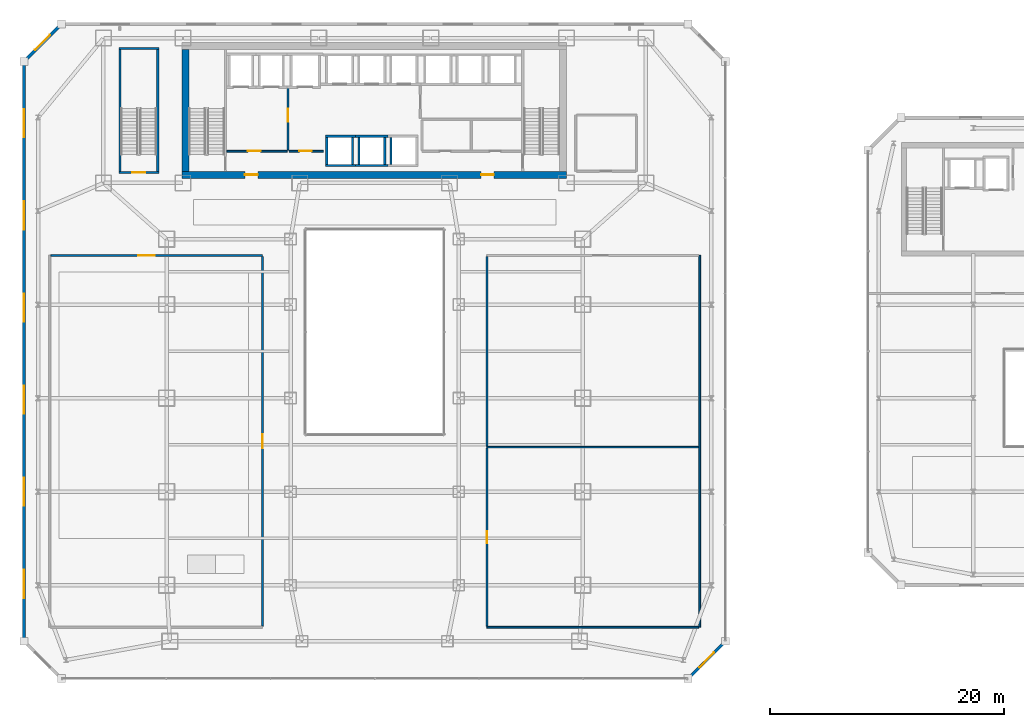
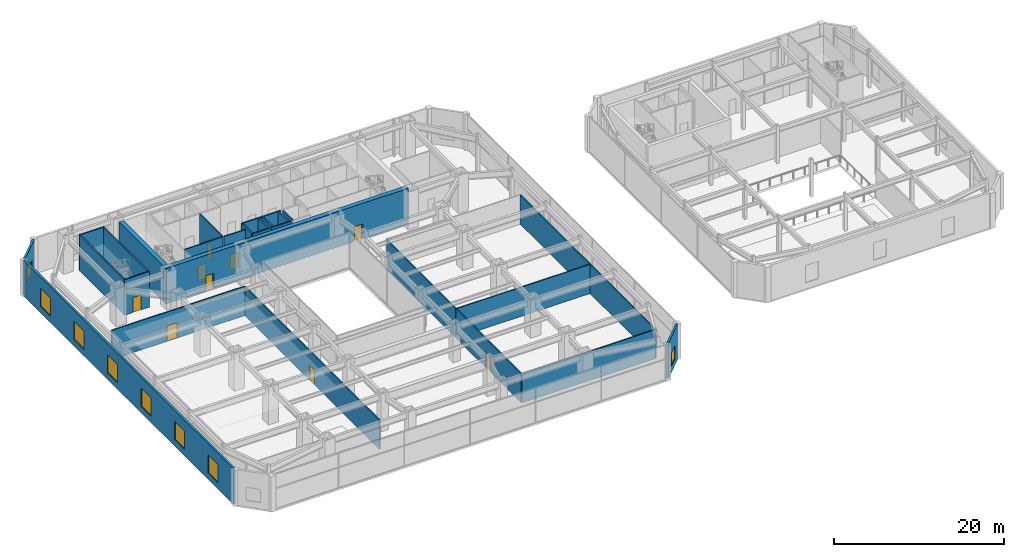
# One storey, part 39 of 52: 28 walls, 9 doors, 8 windows, 17 openings.
"""IFC4 building model written with IfcOpenShell, lengths in metres."""

from ifc_helpers import new_model, si_unit, direction, frame, frame_2d, origin, place, context, subcontext, project, spatial, rectangle, extrude, material, layer, layer_set, type_object, element, fill, save


model = new_model("IFC4")

# Units and contexts
model_context = context("Model", 3, precision=1e-05, world=origin(), true_north=direction((0.0, 1.0)))
body_context = subcontext(model_context, "Body", "Model", "MODEL_VIEW")
ifc_project = project(units=[si_unit("LENGTHUNIT", "METRE"), si_unit("AREAUNIT", "SQUARE_METRE"), si_unit("VOLUMEUNIT", "CUBIC_METRE"), si_unit("PLANEANGLEUNIT", "RADIAN"), si_unit("MASSUNIT", "GRAM", prefix="KILO")], contexts=[model_context])

# Site, building, storey
site_placement = place(None, origin())
site = spatial("IfcSite", under=ifc_project, at=site_placement, CompositionType="ELEMENT")
building_placement = place(site_placement, origin())
building = spatial("IfcBuilding", under=site, at=building_placement, Name="Saevonmaru Cultural Tower", CompositionType="ELEMENT")
storey_placement = place(building_placement, frame((0.0, 0.0, 11.39990234375)))
storey = spatial("IfcBuildingStorey", under=building, at=storey_placement, Name="L02", CompositionType="ELEMENT", Elevation=11.39990234375)

# Wall, openings, doors
ifc_material_1 = material(Name="Concrete C60/75", Category="concrete")
ifc_layer_1 = layer(ifc_material_1, 0.60009765625, Name="Concrete C60/75")
ifc_layer_set_1 = layer_set([ifc_layer_1], Name="Concrete C60/75")
wall_type_1 = type_object("IfcWallType", Name="WL-CORE-600", PredefinedType="SHEAR", material=ifc_layer_set_1)
wall_1_placement = place(storey_placement, frame((13.5, 43.10009765625, 0.0), z_axis=(0.0, 0.0, 1.0), x_axis=(1.0, 0.0, 0.0)))
wall_1 = element("IfcWall", 1, at=wall_1_placement, inside=storey, type_object=wall_type_1, Name="L02 Tower RC core shear wall S", PredefinedType="SHEAR", context=body_context, shape_type="SweptSolid", body=[
    extrude(rectangle(XDim=32.89990234375, YDim=0.60009765625, at=frame_2d((16.449951171875, 0.0))), origin(), (0.0, 0.0, 1.0), 5.10009765625),
])
opening_1_placement = place(wall_1_placement, frame((5.39990234375, 0.0, 0.0)))
opening_1 = element("IfcOpeningElement", 2, at=opening_1_placement, cuts=wall_1, Name="Opening FD-2", PredefinedType="OPENING", context=body_context, shape_type="SweptSolid", body=[
    extrude(rectangle(XDim=1.10009765625, YDim=2.14990234375, at=frame_2d((0.550048828125, 1.074951171875))), frame((0.0, 0.31005859375, 0.0), z_axis=(0.0, -1.0, 0.0), x_axis=(1.0, 0.0, 0.0)), (0.0, 0.0, 1.0), 0.6201171875),
])
opening_2_placement = place(wall_1_placement, frame((25.60009765625, 0.0, 0.0)))
opening_2 = element("IfcOpeningElement", 3, at=opening_2_placement, cuts=wall_1, Name="Opening FD-2", PredefinedType="OPENING", context=body_context, shape_type="SweptSolid", body=[
    extrude(rectangle(XDim=1.10009765625, YDim=2.14990234375, at=frame_2d((0.550048828125, 1.074951171875))), frame((0.0, 0.31005859375, 0.0), z_axis=(0.0, -1.0, 0.0), x_axis=(1.0, 0.0, 0.0)), (0.0, 0.0, 1.0), 0.6201171875),
])
ifc_material_2 = material(Name="Satin Bronze Anodised Aluminium", Category="aluminium")
door_type_1 = type_object("IfcDoorType", Name="DR-FD60-1100", OperationType="SINGLE_SWING_LEFT", PredefinedType="DOOR", material=ifc_material_2)
door_1_placement = place(opening_1_placement, origin())
door_1 = element("IfcDoor", 4, at=door_1_placement, inside=storey, type_object=door_type_1, Name="L02 Core West Lobby Fire Door", OperationType="SINGLE_SWING_LEFT", OverallHeight=2.14990234375, OverallWidth=1.10009765625, PredefinedType="DOOR", context=body_context, shape_type="SweptSolid", body=[
    extrude(rectangle(XDim=1.10009765625, YDim=2.14990234375, at=frame_2d((0.550048828125, 1.074951171875))), frame((0.0, 0.02490234375, 0.0), z_axis=(0.0, -1.0, 0.0), x_axis=(1.0, 0.0, 0.0)), (0.0, 0.0, 1.0), 0.050048828125),
])
fill(opening_1, door_1)
door_2_placement = place(opening_2_placement, origin())
door_2 = element("IfcDoor", 5, at=door_2_placement, inside=storey, type_object=door_type_1, Name="L02 Core East Lobby Fire Door", OperationType="SINGLE_SWING_LEFT", OverallHeight=2.14990234375, OverallWidth=1.10009765625, PredefinedType="DOOR", context=body_context, shape_type="SweptSolid", body=[
    extrude(rectangle(XDim=1.10009765625, YDim=2.14990234375, at=frame_2d((0.550048828125, 1.074951171875))), frame((0.0, 0.02490234375, 0.0), z_axis=(0.0, -1.0, 0.0), x_axis=(1.0, 0.0, 0.0)), (0.0, 0.0, 1.0), 0.050048828125),
])
fill(opening_2, door_2)

# Wall
wall_2_placement = place(storey_placement, frame((13.800048828125, 43.39990234375, 0.0), z_axis=(0.0, 0.0, 1.0), x_axis=(0.0, 1.0, 0.0)))
element("IfcWall", 6, at=wall_2_placement, inside=storey, type_object=wall_type_1, Name="L02 Tower RC core shear wall W", PredefinedType="SHEAR", context=body_context, shape_type="SweptSolid", body=[
    extrude(rectangle(XDim=10.400146484375, YDim=0.60009765625, at=frame_2d((5.2001953125, 0.0))), origin(), (0.0, 0.0, 1.0), 5.10009765625),
])

# Wall, opening, door
ifc_material_3 = material(Name="Gypsum Fireboard Partition", Category="gypsum")
ifc_layer_2 = layer(ifc_material_3, 0.14990234375, Name="Gypsum Fireboard Partition")
ifc_layer_set_2 = layer_set([ifc_layer_2], Name="Gypsum Fireboard Partition")
wall_type_2 = type_object("IfcWallType", Name="WL-CORE-PART-150", PredefinedType="PARTITIONING", material=ifc_layer_set_2)
wall_3_placement = place(storey_placement, frame((17.360107421875, 45.1201171875, 0.0), z_axis=(0.0, 0.0, 1.0), x_axis=(1.0, 0.0, 0.0)))
wall_3 = element("IfcWall", 7, at=wall_3_placement, inside=storey, type_object=wall_type_2, Name="L02 Firefighting Lift Lobby South Wall", PredefinedType="PARTITIONING", context=body_context, shape_type="SweptSolid", body=[
    extrude(rectangle(XDim=5.139892578125, YDim=0.14990234375, at=frame_2d((2.56982421875, 0.0))), origin(), (0.0, 0.0, 1.0), 5.10009765625),
])
opening_3_placement = place(wall_3_placement, frame((1.800048828125, 0.0, 0.0)))
opening_3 = element("IfcOpeningElement", 8, at=opening_3_placement, cuts=wall_3, Name="Opening FD-2", PredefinedType="OPENING", context=body_context, shape_type="SweptSolid", body=[
    extrude(rectangle(XDim=1.10009765625, YDim=2.14990234375, at=frame_2d((0.550048828125, 1.074951171875))), frame((0.0, 0.0849609375, 0.0), z_axis=(0.0, -1.0, 0.0), x_axis=(1.0, 0.0, 0.0)), (0.0, 0.0, 1.0), 0.169921875),
])
door_3_placement = place(opening_3_placement, origin())
door_3 = element("IfcDoor", 9, at=door_3_placement, inside=storey, type_object=door_type_1, Name="L02 Firefighting Lift Lobby South Door", OperationType="SINGLE_SWING_LEFT", OverallHeight=2.14990234375, OverallWidth=1.10009765625, PredefinedType="DOOR", context=body_context, shape_type="SweptSolid", body=[
    extrude(rectangle(XDim=1.10009765625, YDim=2.14990234375, at=frame_2d((0.550048828125, 1.074951171875))), frame((0.0, 0.02490234375, 0.0), z_axis=(0.0, -1.0, 0.0), x_axis=(1.0, 0.0, 0.0)), (0.0, 0.0, 1.0), 0.050048828125),
])
fill(opening_3, door_3)

wall_4_placement = place(storey_placement, frame((22.580078125, 50.550048828125, 0.0), z_axis=(0.0, 0.0, 1.0), x_axis=(0.0, -1.0, 0.0)))
wall_4 = element("IfcWall", 10, at=wall_4_placement, inside=storey, type_object=wall_type_2, Name="L02 Firefighting Lift Lobby East Wall", PredefinedType="PARTITIONING", context=body_context, shape_type="SweptSolid", body=[
    extrude(rectangle(XDim=5.330078125, YDim=0.14990234375, at=frame_2d((2.6650390625, 0.0))), origin(), (0.0, 0.0, 1.0), 5.10009765625),
])
opening_4_placement = place(wall_4_placement, frame((1.800048828125, 0.0, 0.0)))
opening_4 = element("IfcOpeningElement", 11, at=opening_4_placement, cuts=wall_4, Name="Opening FD-2", PredefinedType="OPENING", context=body_context, shape_type="SweptSolid", body=[
    extrude(rectangle(XDim=1.10009765625, YDim=2.14990234375, at=frame_2d((0.550048828125, 1.074951171875))), frame((0.0, 0.0849609375, 0.0), z_axis=(0.0, -1.0, 0.0), x_axis=(1.0, 0.0, 0.0)), (0.0, 0.0, 1.0), 0.169921875),
])
door_4_placement = place(opening_4_placement, origin())
door_4 = element("IfcDoor", 12, at=door_4_placement, inside=storey, type_object=door_type_1, Name="L02 Firefighting Lift Lobby East Door", OperationType="SINGLE_SWING_LEFT", OverallHeight=2.14990234375, OverallWidth=1.10009765625, PredefinedType="DOOR", context=body_context, shape_type="SweptSolid", body=[
    extrude(rectangle(XDim=1.10009765625, YDim=2.14990234375, at=frame_2d((0.550048828125, 1.074951171875))), frame((0.0, 0.02490234375, 0.0), z_axis=(0.0, -1.0, 0.0), x_axis=(1.0, 0.0, 0.0)), (0.0, 0.0, 1.0), 0.050048828125),
])
fill(opening_4, door_4)

wall_5_placement = place(storey_placement, frame((22.679931640625, 45.1201171875, 0.0), z_axis=(0.0, 0.0, 1.0), x_axis=(1.0, 0.0, 0.0)))
wall_5 = element("IfcWall", 13, at=wall_5_placement, inside=storey, type_object=wall_type_2, Name="L02 Service Lift Vestibule Wall", PredefinedType="PARTITIONING", context=body_context, shape_type="SweptSolid", body=[
    extrude(rectangle(XDim=2.920166015625, YDim=0.14990234375, at=frame_2d((1.4599609375, 0.0))), origin(), (0.0, 0.0, 1.0), 5.10009765625),
])
opening_5_placement = place(wall_5_placement, frame((0.85009765625, 0.0, 0.0)))
opening_5 = element("IfcOpeningElement", 14, at=opening_5_placement, cuts=wall_5, Name="Opening FD-2", PredefinedType="OPENING", context=body_context, shape_type="SweptSolid", body=[
    extrude(rectangle(XDim=1.10009765625, YDim=2.14990234375, at=frame_2d((0.550048828125, 1.074951171875))), frame((0.0, 0.0849609375, 0.0), z_axis=(0.0, -1.0, 0.0), x_axis=(1.0, 0.0, 0.0)), (0.0, 0.0, 1.0), 0.169921875),
])
door_5_placement = place(opening_5_placement, origin())
door_5 = element("IfcDoor", 15, at=door_5_placement, inside=storey, type_object=door_type_1, Name="L02 Service Lift Vestibule Door", OperationType="SINGLE_SWING_LEFT", OverallHeight=2.14990234375, OverallWidth=1.10009765625, PredefinedType="DOOR", context=body_context, shape_type="SweptSolid", body=[
    extrude(rectangle(XDim=1.10009765625, YDim=2.14990234375, at=frame_2d((0.550048828125, 1.074951171875))), frame((0.0, 0.02490234375, 0.0), z_axis=(0.0, -1.0, 0.0), x_axis=(1.0, 0.0, 0.0)), (0.0, 0.0, 1.0), 0.050048828125),
])
fill(opening_5, door_5)

# Wall, opening, window
ifc_material_4 = material(Name="Granite-Clad Precast Concrete C40/50", Category="masonry")
ifc_layer_3 = layer(ifc_material_4, 0.260009765625, Name="Granite-Clad Precast Concrete C40/50")
ifc_layer_set_3 = layer_set([ifc_layer_3], Name="Granite-Clad Precast Concrete C40/50")
wall_type_3 = type_object("IfcWallType", Name="WL-EXT-SPANDREL-260", PredefinedType="STANDARD", material=ifc_layer_set_3)
wall_6_placement = place(storey_placement, frame((56.9130859375, 0.113037109375, 0.0), z_axis=(0.0, 0.0, 1.0), x_axis=(0.707106781187, 0.707106781187, 0.0)))
wall_6 = element("IfcWall", 16, at=wall_6_placement, inside=storey, type_object=wall_type_3, Name="L02 Podium Bronze-Granite Exterior Wall E3", PredefinedType="STANDARD", context=body_context, shape_type="SweptSolid", body=[
    extrude(rectangle(XDim=4.205810546875, YDim=0.260009765625, at=frame_2d((2.10302734375, 0.0))), origin(), (0.0, 0.0, 1.0), 5.10009765625),
])
opening_6_placement = place(wall_6_placement, frame((1.202880859375, 0.0, 0.89990234375)))
opening_6 = element("IfcOpeningElement", 17, at=opening_6_placement, cuts=wall_6, Name="Opening W-2", PredefinedType="OPENING", context=body_context, shape_type="SweptSolid", body=[
    extrude(rectangle(XDim=1.800048828125, YDim=1.89990234375, at=frame_2d((0.89990234375, 0.949951171875))), frame((0.0, 0.14013671875, 0.0), z_axis=(0.0, -1.0, 0.0), x_axis=(1.0, 0.0, 0.0)), (0.0, 0.0, 1.0), 0.280029296875),
])
window_type_1 = type_object("IfcWindowType", Name="WN-DECO-1800x1900", PartitioningType="SINGLE_PANEL", PredefinedType="WINDOW", material=ifc_material_2)
window_1_placement = place(opening_6_placement, origin())
window_1 = element("IfcWindow", 18, at=window_1_placement, inside=storey, type_object=window_type_1, Name="L02 Chamfer Bay Window E3", OverallHeight=1.89990234375, OverallWidth=1.800048828125, PartitioningType="SINGLE_PANEL", PredefinedType="WINDOW", context=body_context, shape_type="SweptSolid", body=[
    extrude(rectangle(XDim=1.800048828125, YDim=1.89990234375, at=frame_2d((0.89990234375, 0.949951171875))), frame((0.0, 0.030029296875, 0.0), z_axis=(0.0, -1.0, 0.0), x_axis=(1.0, 0.0, 0.0)), (0.0, 0.0, 1.0), 0.06005859375),
])
fill(opening_6, window_1)

wall_7_placement = place(storey_placement, frame((3.0869140625, 55.886962890625, 0.0), z_axis=(0.0, 0.0, 1.0), x_axis=(-0.707106781187, -0.707106781187, 0.0)))
wall_7 = element("IfcWall", 19, at=wall_7_placement, inside=storey, type_object=wall_type_3, Name="L02 Podium Bronze-Granite Exterior Wall E7", PredefinedType="STANDARD", context=body_context, shape_type="SweptSolid", body=[
    extrude(rectangle(XDim=4.205810546875, YDim=0.260009765625, at=frame_2d((2.10302734375, 0.0))), origin(), (0.0, 0.0, 1.0), 5.10009765625),
])
opening_7_placement = place(wall_7_placement, frame((1.202880859375, 0.0, 0.89990234375)))
opening_7 = element("IfcOpeningElement", 20, at=opening_7_placement, cuts=wall_7, Name="Opening W-2", PredefinedType="OPENING", context=body_context, shape_type="SweptSolid", body=[
    extrude(rectangle(XDim=1.800048828125, YDim=1.89990234375, at=frame_2d((0.89990234375, 0.949951171875))), frame((0.0, 0.14013671875, 0.0), z_axis=(0.0, -1.0, 0.0), x_axis=(1.0, 0.0, 0.0)), (0.0, 0.0, 1.0), 0.280029296875),
])
window_2_placement = place(opening_7_placement, origin())
window_2 = element("IfcWindow", 21, at=window_2_placement, inside=storey, type_object=window_type_1, Name="L02 Chamfer Bay Window E7", OverallHeight=1.89990234375, OverallWidth=1.800048828125, PartitioningType="SINGLE_PANEL", PredefinedType="WINDOW", context=body_context, shape_type="SweptSolid", body=[
    extrude(rectangle(XDim=1.800048828125, YDim=1.89990234375, at=frame_2d((0.89990234375, 0.949951171875))), frame((0.0, 0.030029296875, 0.0), z_axis=(0.0, -1.0, 0.0), x_axis=(1.0, 0.0, 0.0)), (0.0, 0.0, 1.0), 0.06005859375),
])
fill(opening_7, window_2)

# Wall, openings, windows
ifc_layer_4 = layer(ifc_material_4, 0.280029296875, Name="Granite-Clad Precast Concrete C40/50")
ifc_layer_set_4 = layer_set([ifc_layer_4], Name="Granite-Clad Precast Concrete C40/50")
wall_type_4 = type_object("IfcWallType", Name="WL-EXT-SPANDREL-280", PredefinedType="STANDARD", material=ifc_layer_set_4)
wall_8_placement = place(storey_placement, frame((0.0, 52.639892578125, 0.0), z_axis=(0.0, 0.0, 1.0), x_axis=(0.0, -1.0, 0.0)))
wall_8 = element("IfcWall", 22, at=wall_8_placement, inside=storey, type_object=wall_type_4, Name="L02 Podium Bronze-Granite Exterior Wall E8", PredefinedType="STANDARD", context=body_context, shape_type="SweptSolid", body=[
    extrude(rectangle(XDim=49.27978515625, YDim=0.280029296875, at=frame_2d((24.639892578125, 0.0))), origin(), (0.0, 0.0, 1.0), 5.10009765625),
])
opening_8_placement = place(wall_8_placement, frame((3.93994140625, 0.0, 0.89990234375)))
opening_8 = element("IfcOpeningElement", 23, at=opening_8_placement, cuts=wall_8, Name="Opening W-1", PredefinedType="OPENING", context=body_context, shape_type="SweptSolid", body=[
    extrude(rectangle(XDim=2.39990234375, YDim=2.60009765625, at=frame_2d((1.199951171875, 1.300048828125))), frame((0.0, 0.14990234375, 0.0), z_axis=(0.0, -1.0, 0.0), x_axis=(1.0, 0.0, 0.0)), (0.0, 0.0, 1.0), 0.300048828125),
])
opening_9_placement = place(wall_8_placement, frame((11.820068359375, 0.0, 0.89990234375)))
opening_9 = element("IfcOpeningElement", 24, at=opening_9_placement, cuts=wall_8, Name="Opening W-1", PredefinedType="OPENING", context=body_context, shape_type="SweptSolid", body=[
    extrude(rectangle(XDim=2.39990234375, YDim=2.60009765625, at=frame_2d((1.199951171875, 1.300048828125))), frame((0.0, 0.14990234375, 0.0), z_axis=(0.0, -1.0, 0.0), x_axis=(1.0, 0.0, 0.0)), (0.0, 0.0, 1.0), 0.300048828125),
])
opening_10_placement = place(wall_8_placement, frame((19.699951171875, 0.0, 0.89990234375)))
opening_10 = element("IfcOpeningElement", 25, at=opening_10_placement, cuts=wall_8, Name="Opening W-1", PredefinedType="OPENING", context=body_context, shape_type="SweptSolid", body=[
    extrude(rectangle(XDim=2.39990234375, YDim=2.60009765625, at=frame_2d((1.199951171875, 1.300048828125))), frame((0.0, 0.14990234375, 0.0), z_axis=(0.0, -1.0, 0.0), x_axis=(1.0, 0.0, 0.0)), (0.0, 0.0, 1.0), 0.300048828125),
])
opening_11_placement = place(wall_8_placement, frame((27.580078125, 0.0, 0.89990234375)))
opening_11 = element("IfcOpeningElement", 26, at=opening_11_placement, cuts=wall_8, Name="Opening W-1", PredefinedType="OPENING", context=body_context, shape_type="SweptSolid", body=[
    extrude(rectangle(XDim=2.39990234375, YDim=2.60009765625, at=frame_2d((1.199951171875, 1.300048828125))), frame((0.0, 0.14990234375, 0.0), z_axis=(0.0, -1.0, 0.0), x_axis=(1.0, 0.0, 0.0)), (0.0, 0.0, 1.0), 0.300048828125),
])
opening_12_placement = place(wall_8_placement, frame((35.4599609375, 0.0, 0.89990234375)))
opening_12 = element("IfcOpeningElement", 27, at=opening_12_placement, cuts=wall_8, Name="Opening W-1", PredefinedType="OPENING", context=body_context, shape_type="SweptSolid", body=[
    extrude(rectangle(XDim=2.39990234375, YDim=2.60009765625, at=frame_2d((1.199951171875, 1.300048828125))), frame((0.0, 0.14990234375, 0.0), z_axis=(0.0, -1.0, 0.0), x_axis=(1.0, 0.0, 0.0)), (0.0, 0.0, 1.0), 0.300048828125),
])
opening_13_placement = place(wall_8_placement, frame((43.340087890625, 0.0, 0.89990234375)))
opening_13 = element("IfcOpeningElement", 28, at=opening_13_placement, cuts=wall_8, Name="Opening W-1", PredefinedType="OPENING", context=body_context, shape_type="SweptSolid", body=[
    extrude(rectangle(XDim=2.39990234375, YDim=2.60009765625, at=frame_2d((1.199951171875, 1.300048828125))), frame((0.0, 0.14990234375, 0.0), z_axis=(0.0, -1.0, 0.0), x_axis=(1.0, 0.0, 0.0)), (0.0, 0.0, 1.0), 0.300048828125),
])
window_type_2 = type_object("IfcWindowType", Name="WN-DECO-2400x2600", PartitioningType="DOUBLE_PANEL_VERTICAL", PredefinedType="WINDOW", material=ifc_material_2)
window_3_placement = place(opening_8_placement, origin())
window_3 = element("IfcWindow", 29, at=window_3_placement, inside=storey, type_object=window_type_2, Name="L02 Art Deco Bronze Window E8-1", OverallHeight=2.60009765625, OverallWidth=2.39990234375, PartitioningType="DOUBLE_PANEL_VERTICAL", PredefinedType="WINDOW", context=body_context, shape_type="SweptSolid", body=[
    extrude(rectangle(XDim=2.39990234375, YDim=2.60009765625, at=frame_2d((1.199951171875, 1.300048828125))), frame((0.0, 0.030029296875, 0.0), z_axis=(0.0, -1.0, 0.0), x_axis=(1.0, 0.0, 0.0)), (0.0, 0.0, 1.0), 0.06005859375),
])
fill(opening_8, window_3)
window_4_placement = place(opening_9_placement, origin())
window_4 = element("IfcWindow", 30, at=window_4_placement, inside=storey, type_object=window_type_2, Name="L02 Art Deco Bronze Window E8-2", OverallHeight=2.60009765625, OverallWidth=2.39990234375, PartitioningType="DOUBLE_PANEL_VERTICAL", PredefinedType="WINDOW", context=body_context, shape_type="SweptSolid", body=[
    extrude(rectangle(XDim=2.39990234375, YDim=2.60009765625, at=frame_2d((1.199951171875, 1.300048828125))), frame((0.0, 0.030029296875, 0.0), z_axis=(0.0, -1.0, 0.0), x_axis=(1.0, 0.0, 0.0)), (0.0, 0.0, 1.0), 0.06005859375),
])
fill(opening_9, window_4)
window_5_placement = place(opening_10_placement, origin())
window_5 = element("IfcWindow", 31, at=window_5_placement, inside=storey, type_object=window_type_2, Name="L02 Art Deco Bronze Window E8-3", OverallHeight=2.60009765625, OverallWidth=2.39990234375, PartitioningType="DOUBLE_PANEL_VERTICAL", PredefinedType="WINDOW", context=body_context, shape_type="SweptSolid", body=[
    extrude(rectangle(XDim=2.39990234375, YDim=2.60009765625, at=frame_2d((1.199951171875, 1.300048828125))), frame((0.0, 0.030029296875, 0.0), z_axis=(0.0, -1.0, 0.0), x_axis=(1.0, 0.0, 0.0)), (0.0, 0.0, 1.0), 0.06005859375),
])
fill(opening_10, window_5)
window_6_placement = place(opening_11_placement, origin())
window_6 = element("IfcWindow", 32, at=window_6_placement, inside=storey, type_object=window_type_2, Name="L02 Art Deco Bronze Window E8-4", OverallHeight=2.60009765625, OverallWidth=2.39990234375, PartitioningType="DOUBLE_PANEL_VERTICAL", PredefinedType="WINDOW", context=body_context, shape_type="SweptSolid", body=[
    extrude(rectangle(XDim=2.39990234375, YDim=2.60009765625, at=frame_2d((1.199951171875, 1.300048828125))), frame((0.0, 0.030029296875, 0.0), z_axis=(0.0, -1.0, 0.0), x_axis=(1.0, 0.0, 0.0)), (0.0, 0.0, 1.0), 0.06005859375),
])
fill(opening_11, window_6)
window_7_placement = place(opening_12_placement, origin())
window_7 = element("IfcWindow", 33, at=window_7_placement, inside=storey, type_object=window_type_2, Name="L02 Art Deco Bronze Window E8-5", OverallHeight=2.60009765625, OverallWidth=2.39990234375, PartitioningType="DOUBLE_PANEL_VERTICAL", PredefinedType="WINDOW", context=body_context, shape_type="SweptSolid", body=[
    extrude(rectangle(XDim=2.39990234375, YDim=2.60009765625, at=frame_2d((1.199951171875, 1.300048828125))), frame((0.0, 0.030029296875, 0.0), z_axis=(0.0, -1.0, 0.0), x_axis=(1.0, 0.0, 0.0)), (0.0, 0.0, 1.0), 0.06005859375),
])
fill(opening_12, window_7)
window_8_placement = place(opening_13_placement, origin())
window_8 = element("IfcWindow", 34, at=window_8_placement, inside=storey, type_object=window_type_2, Name="L02 Art Deco Bronze Window E8-6", OverallHeight=2.60009765625, OverallWidth=2.39990234375, PartitioningType="DOUBLE_PANEL_VERTICAL", PredefinedType="WINDOW", context=body_context, shape_type="SweptSolid", body=[
    extrude(rectangle(XDim=2.39990234375, YDim=2.60009765625, at=frame_2d((1.199951171875, 1.300048828125))), frame((0.0, 0.030029296875, 0.0), z_axis=(0.0, -1.0, 0.0), x_axis=(1.0, 0.0, 0.0)), (0.0, 0.0, 1.0), 0.06005859375),
])
fill(opening_13, window_8)

# Wall, opening, door
ifc_layer_5 = layer(ifc_material_3, 0.14990234375, Name="Gypsum Fireboard Partition")
ifc_layer_set_5 = layer_set([ifc_layer_5], Name="Gypsum Fireboard Partition")
wall_type_5 = type_object("IfcWallType", Name="WL-PART-FIRE-150", PredefinedType="PARTITIONING", material=ifc_layer_set_5)
wall_9_placement = place(storey_placement, frame((2.294921875, 36.199951171875, 0.0), z_axis=(0.0, 0.0, 1.0), x_axis=(1.0, 0.0, 0.0)))
wall_9 = element("IfcWall", 35, at=wall_9_placement, inside=storey, type_object=wall_type_5, Name="L02 Chamber Recital Auditorium North Wall", PredefinedType="PARTITIONING", context=body_context, shape_type="SweptSolid", body=[
    extrude(rectangle(XDim=18.10498046875, YDim=0.14990234375, at=frame_2d((9.052490234375, 0.0))), origin(), (0.0, 0.0, 1.0), 4.18505859375),
])
opening_14_placement = place(wall_9_placement, frame((7.471923828125, 0.0, 0.0)))
opening_14 = element("IfcOpeningElement", 36, at=opening_14_placement, cuts=wall_9, Name="Opening FD-0", PredefinedType="OPENING", context=body_context, shape_type="SweptSolid", body=[
    extrude(rectangle(XDim=1.39990234375, YDim=2.199951171875, at=frame_2d((0.699951171875, 1.10009765625))), frame((0.0, 0.0849609375, 0.0), z_axis=(0.0, -1.0, 0.0), x_axis=(1.0, 0.0, 0.0)), (0.0, 0.0, 1.0), 0.169921875),
])
door_type_2 = type_object("IfcDoorType", Name="DR-FD60-1400", OperationType="DOUBLE_DOOR_SINGLE_SWING", PredefinedType="DOOR", material=ifc_material_2)
door_6_placement = place(opening_14_placement, origin())
door_6 = element("IfcDoor", 37, at=door_6_placement, inside=storey, type_object=door_type_2, Name="L02 Chamber Recital Auditorium Main Door", OperationType="DOUBLE_DOOR_SINGLE_SWING", OverallHeight=2.199951171875, OverallWidth=1.39990234375, PredefinedType="DOOR", context=body_context, shape_type="SweptSolid", body=[
    extrude(rectangle(XDim=1.39990234375, YDim=2.199951171875, at=frame_2d((0.699951171875, 1.10009765625))), frame((0.0, 0.02490234375, 0.0), z_axis=(0.0, -1.0, 0.0), x_axis=(1.0, 0.0, 0.0)), (0.0, 0.0, 1.0), 0.050048828125),
])
fill(opening_14, door_6)

wall_10_placement = place(storey_placement, frame((20.39990234375, 4.4951171875, 0.0), z_axis=(0.0, 0.0, 1.0), x_axis=(0.0, 1.0, 0.0)))
wall_10 = element("IfcWall", 38, at=wall_10_placement, inside=storey, type_object=wall_type_5, Name="L02 Chamber Recital Auditorium East Atrium Wall", PredefinedType="PARTITIONING", context=body_context, shape_type="SweptSolid", body=[
    extrude(rectangle(XDim=31.60986328125, YDim=0.14990234375, at=frame_2d((15.804931640625, 0.0))), origin(), (0.0, 0.0, 1.0), 4.18505859375),
])
opening_15_placement = place(wall_10_placement, frame((15.205078125, 0.0, 0.0)))
opening_15 = element("IfcOpeningElement", 39, at=opening_15_placement, cuts=wall_10, Name="Opening FD-1", PredefinedType="OPENING", context=body_context, shape_type="SweptSolid", body=[
    extrude(rectangle(XDim=1.199951171875, YDim=2.14990234375, at=frame_2d((0.60009765625, 1.074951171875))), frame((0.0, 0.0849609375, 0.0), z_axis=(0.0, -1.0, 0.0), x_axis=(1.0, 0.0, 0.0)), (0.0, 0.0, 1.0), 0.169921875),
])
door_type_3 = type_object("IfcDoorType", Name="DR-FD60-1200", OperationType="DOUBLE_DOOR_SINGLE_SWING", PredefinedType="DOOR", material=ifc_material_2)
door_7_placement = place(opening_15_placement, origin())
door_7 = element("IfcDoor", 40, at=door_7_placement, inside=storey, type_object=door_type_3, Name="L02 Chamber Recital Auditorium Secondary Exit Door", OperationType="DOUBLE_DOOR_SINGLE_SWING", OverallHeight=2.14990234375, OverallWidth=1.199951171875, PredefinedType="DOOR", context=body_context, shape_type="SweptSolid", body=[
    extrude(rectangle(XDim=1.199951171875, YDim=2.14990234375, at=frame_2d((0.60009765625, 1.074951171875))), frame((0.0, 0.02490234375, 0.0), z_axis=(0.0, -1.0, 0.0), x_axis=(1.0, 0.0, 0.0)), (0.0, 0.0, 1.0), 0.050048828125),
])
fill(opening_15, door_7)

# Walls
wall_11_placement = place(storey_placement, frame((57.800048828125, 4.39990234375, 0.0), z_axis=(0.0, 0.0, 1.0), x_axis=(0.0, 1.0, 0.0)))
element("IfcWall", 41, at=wall_11_placement, inside=storey, type_object=wall_type_5, Name="L02 East Gallery Perimeter Wall", PredefinedType="PARTITIONING", context=body_context, shape_type="SweptSolid", body=[
    extrude(rectangle(XDim=31.800048828125, YDim=0.14990234375, at=frame_2d((15.89990234375, 0.0))), origin(), (0.0, 0.0, 1.0), 4.18505859375),
])
wall_12_placement = place(storey_placement, frame((39.60009765625, 4.39990234375, 0.0), z_axis=(0.0, 0.0, 1.0), x_axis=(1.0, 0.0, 0.0)))
element("IfcWall", 42, at=wall_12_placement, inside=storey, type_object=wall_type_5, Name="L02 East Gallery South Wall", PredefinedType="PARTITIONING", context=body_context, shape_type="SweptSolid", body=[
    extrude(rectangle(XDim=18.10498046875, YDim=0.14990234375, at=frame_2d((9.052490234375, 0.0))), origin(), (0.0, 0.0, 1.0), 4.18505859375),
])

# Wall, opening, door
wall_13_placement = place(storey_placement, frame((39.60009765625, 4.4951171875, 0.0), z_axis=(0.0, 0.0, 1.0), x_axis=(0.0, 1.0, 0.0)))
wall_13 = element("IfcWall", 43, at=wall_13_placement, inside=storey, type_object=wall_type_5, Name="L02 East Seminar West Wall", PredefinedType="PARTITIONING", context=body_context, shape_type="SweptSolid", body=[
    extrude(rectangle(XDim=15.21728515625, YDim=0.14990234375, at=frame_2d((7.608642578125, 0.0))), origin(), (0.0, 0.0, 1.0), 4.18505859375),
])
opening_16_placement = place(wall_13_placement, frame((7.083984375, 0.0, 0.0)))
opening_16 = element("IfcOpeningElement", 44, at=opening_16_placement, cuts=wall_13, Name="Opening ID-1", PredefinedType="OPENING", context=body_context, shape_type="SweptSolid", body=[
    extrude(rectangle(XDim=1.050048828125, YDim=2.14990234375, at=frame_2d((0.52490234375, 1.074951171875))), frame((0.0, 0.0849609375, 0.0), z_axis=(0.0, -1.0, 0.0), x_axis=(1.0, 0.0, 0.0)), (0.0, 0.0, 1.0), 0.169921875),
])
door_type_4 = type_object("IfcDoorType", Name="DR-INT-1050", OperationType="SINGLE_SWING_LEFT", PredefinedType="DOOR", material=ifc_material_2)
door_8_placement = place(opening_16_placement, origin())
door_8 = element("IfcDoor", 45, at=door_8_placement, inside=storey, type_object=door_type_4, Name="L02 Lecture Reading Room Door", OperationType="SINGLE_SWING_LEFT", OverallHeight=2.14990234375, OverallWidth=1.050048828125, PredefinedType="DOOR", context=body_context, shape_type="SweptSolid", body=[
    extrude(rectangle(XDim=1.050048828125, YDim=2.14990234375, at=frame_2d((0.52490234375, 1.074951171875))), frame((0.0, 0.02490234375, 0.0), z_axis=(0.0, -1.0, 0.0), x_axis=(1.0, 0.0, 0.0)), (0.0, 0.0, 1.0), 0.050048828125),
])
fill(opening_16, door_8)

# Walls
wall_14_placement = place(storey_placement, frame((39.60009765625, 19.887451171875, 0.0), z_axis=(0.0, 0.0, 1.0), x_axis=(0.0, 1.0, 0.0)))
element("IfcWall", 46, at=wall_14_placement, inside=storey, type_object=wall_type_5, Name="L02 East Gallery Atrium Wall", PredefinedType="PARTITIONING", context=body_context, shape_type="SweptSolid", body=[
    extrude(rectangle(XDim=16.217529296875, YDim=0.14990234375, at=frame_2d((8.10888671875, 0.0))), origin(), (0.0, 0.0, 1.0), 4.18505859375),
])
ifc_layer_6 = layer(ifc_material_3, 0.135009765625, Name="Gypsum Fireboard Partition")
ifc_layer_set_6 = layer_set([ifc_layer_6], Name="Gypsum Fireboard Partition")
wall_type_6 = type_object("IfcWallType", Name="WL-PART-GYP-135", PredefinedType="PARTITIONING", material=ifc_layer_set_6)
wall_15_placement = place(storey_placement, frame((39.60009765625, 19.800048828125, 0.0), z_axis=(0.0, 0.0, 1.0), x_axis=(1.0, 0.0, 0.0)))
element("IfcWall", 47, at=wall_15_placement, inside=storey, type_object=wall_type_6, Name="L02 Gallery-Reading Split", PredefinedType="PARTITIONING", context=body_context, shape_type="SweptSolid", body=[
    extrude(rectangle(XDim=18.10498046875, YDim=0.135009765625, at=frame_2d((9.052490234375, 0.0))), origin(), (0.0, 0.0, 1.0), 4.18505859375),
])
ifc_material_5 = material(Name="Concrete C40/50", Category="concrete")
ifc_layer_7 = layer(ifc_material_5, 0.199951171875, Name="Concrete C40/50")
ifc_layer_set_7 = layer_set([ifc_layer_7], Name="Concrete C40/50")
wall_type_7 = type_object("IfcWallType", Name="WL-SHAFT-200", PredefinedType="SHEAR", material=ifc_layer_set_7)
for number, where, z_axis, x_axis, name in (
    (48, (25.800048828125, 43.89990234375, 0.0), (0.0, 0.0, 1.0), (1.0, 0.0, 0.0), "L02 Lift PL-M1 Hoistway Wall S"),
    (49, (25.800048828125, 46.39990234375, 0.0), (0.0, 0.0, 1.0), (1.0, 0.0, 0.0), "L02 Lift PL-M1 Hoistway Wall N"),
):
    element("IfcWall", number, at=place(storey_placement, frame(where, z_axis=z_axis, x_axis=x_axis)), inside=storey, type_object=wall_type_7, Name=name, PredefinedType="SHEAR", context=body_context, shape_type="SweptSolid", body=[
        extrude(rectangle(XDim=2.574951171875, YDim=0.199951171875, at=frame_2d((1.28759765625, 0.0))), origin(), (0.0, 0.0, 1.0), 5.10009765625),
    ])
for number, where, z_axis, x_axis, name in (
    (50, (25.89990234375, 44.0, 0.0), (0.0, 0.0, 1.0), (0.0, 1.0, 0.0), "L02 Lift PL-M1 Hoistway Wall W"),
    (51, (28.10009765625, 44.0, 0.0), (0.0, 0.0, 1.0), (0.0, 1.0, 0.0), "L02 Lift PL-M1 Hoistway Wall E"),
):
    element("IfcWall", number, at=place(storey_placement, frame(where, z_axis=z_axis, x_axis=x_axis)), inside=storey, type_object=wall_type_7, Name=name, PredefinedType="SHEAR", context=body_context, shape_type="SweptSolid", body=[
        extrude(rectangle(XDim=2.300048828125, YDim=0.199951171875, at=frame_2d((1.14990234375, 0.0))), origin(), (0.0, 0.0, 1.0), 5.10009765625),
    ])
for number, where, z_axis, x_axis, name in (
    (52, (28.375, 43.89990234375, 0.0), (0.0, 0.0, 1.0), (1.0, 0.0, 0.0), "L02 Lift PL-M2 Hoistway Wall S"),
    (53, (28.375, 46.39990234375, 0.0), (0.0, 0.0, 1.0), (1.0, 0.0, 0.0), "L02 Lift PL-M2 Hoistway Wall N"),
):
    element("IfcWall", number, at=place(storey_placement, frame(where, z_axis=z_axis, x_axis=x_axis)), inside=storey, type_object=wall_type_7, Name=name, PredefinedType="SHEAR", context=body_context, shape_type="SweptSolid", body=[
        extrude(rectangle(XDim=2.75, YDim=0.199951171875, at=frame_2d((1.375, 0.0))), origin(), (0.0, 0.0, 1.0), 5.10009765625),
    ])
for number, where, z_axis, x_axis, name in (
    (54, (28.64990234375, 44.0, 0.0), (0.0, 0.0, 1.0), (0.0, 1.0, 0.0), "L02 Lift PL-M2 Hoistway Wall W"),
    (55, (30.85009765625, 44.0, 0.0), (0.0, 0.0, 1.0), (0.0, 1.0, 0.0), "L02 Lift PL-M2 Hoistway Wall E"),
    (56, (31.39990234375, 44.0, 0.0), (0.0, 0.0, 1.0), (0.0, 1.0, 0.0), "L02 Lift PL-M3 Hoistway Wall W"),
):
    element("IfcWall", number, at=place(storey_placement, frame(where, z_axis=z_axis, x_axis=x_axis)), inside=storey, type_object=wall_type_7, Name=name, PredefinedType="SHEAR", context=body_context, shape_type="SweptSolid", body=[
        extrude(rectangle(XDim=2.300048828125, YDim=0.199951171875, at=frame_2d((1.14990234375, 0.0))), origin(), (0.0, 0.0, 1.0), 5.10009765625),
    ])

# Wall, opening, door
ifc_layer_8 = layer(ifc_material_5, 0.179931640625, Name="Concrete C40/50")
ifc_layer_set_8 = layer_set([ifc_layer_8], Name="Concrete C40/50")
wall_type_8 = type_object("IfcWallType", Name="WL-STSHAFT-180", PredefinedType="SHEAR", material=ifc_layer_set_8)
wall_16_placement = place(storey_placement, frame((8.1201171875, 43.31005859375, 0.0), z_axis=(0.0, 0.0, 1.0), x_axis=(1.0, 0.0, 0.0)))
wall_16 = element("IfcWall", 57, at=wall_16_placement, inside=storey, type_object=wall_type_8, Name="L02 Stair ST-3 Structural Shaft Wall 1", PredefinedType="SHEAR", context=body_context, shape_type="SweptSolid", body=[
    extrude(rectangle(XDim=3.409912109375, YDim=0.179931640625, at=frame_2d((1.705078125, 0.0))), origin(), (0.0, 0.0, 1.0), 5.10009765625),
])
opening_17_placement = place(wall_16_placement, frame((1.14990234375, 0.0, 0.0)))
opening_17 = element("IfcOpeningElement", 58, at=opening_17_placement, cuts=wall_16, Name="Opening FD-2", PredefinedType="OPENING", context=body_context, shape_type="SweptSolid", body=[
    extrude(rectangle(XDim=1.10009765625, YDim=2.14990234375, at=frame_2d((0.550048828125, 1.074951171875))), frame((0.0, 0.10009765625, 0.0), z_axis=(0.0, -1.0, 0.0), x_axis=(1.0, 0.0, 0.0)), (0.0, 0.0, 1.0), 0.199951171875),
])
door_9_placement = place(opening_17_placement, origin())
door_9 = element("IfcDoor", 59, at=door_9_placement, inside=storey, type_object=door_type_1, Name="L02 Protected Stair ST-3 Fire Door", OperationType="SINGLE_SWING_LEFT", OverallHeight=2.14990234375, OverallWidth=1.10009765625, PredefinedType="DOOR", context=body_context, shape_type="SweptSolid", body=[
    extrude(rectangle(XDim=1.10009765625, YDim=2.14990234375, at=frame_2d((0.550048828125, 1.074951171875))), frame((0.0, 0.02490234375, 0.0), z_axis=(0.0, -1.0, 0.0), x_axis=(1.0, 0.0, 0.0)), (0.0, 0.0, 1.0), 0.050048828125),
])
fill(opening_17, door_9)

# Walls
wall_17_placement = place(storey_placement, frame((11.43994140625, 43.39990234375, 0.0), z_axis=(0.0, 0.0, 1.0), x_axis=(0.0, 1.0, 0.0)))
element("IfcWall", 60, at=wall_17_placement, inside=storey, type_object=wall_type_8, Name="L02 Stair ST-3 Structural Shaft Wall 2", PredefinedType="SHEAR", context=body_context, shape_type="SweptSolid", body=[
    extrude(rectangle(XDim=10.400146484375, YDim=0.179931640625, at=frame_2d((5.2001953125, 0.0))), origin(), (0.0, 0.0, 1.0), 5.10009765625),
])
wall_18_placement = place(storey_placement, frame((11.530029296875, 53.889892578125, 0.0), z_axis=(0.0, 0.0, 1.0), x_axis=(-1.0, 0.0, 0.0)))
element("IfcWall", 61, at=wall_18_placement, inside=storey, type_object=wall_type_8, Name="L02 Stair ST-3 Structural Shaft Wall 3", PredefinedType="SHEAR", context=body_context, shape_type="SweptSolid", body=[
    extrude(rectangle(XDim=3.409912109375, YDim=0.179931640625, at=frame_2d((1.705078125, 0.0))), origin(), (0.0, 0.0, 1.0), 5.10009765625),
])
wall_19_placement = place(storey_placement, frame((8.2099609375, 53.800048828125, 0.0), z_axis=(0.0, 0.0, 1.0), x_axis=(0.0, -1.0, 0.0)))
element("IfcWall", 62, at=wall_19_placement, inside=storey, type_object=wall_type_8, Name="L02 Stair ST-3 Structural Shaft Wall 4", PredefinedType="SHEAR", context=body_context, shape_type="SweptSolid", body=[
    extrude(rectangle(XDim=10.400146484375, YDim=0.179931640625, at=frame_2d((5.2001953125, 0.0))), origin(), (0.0, 0.0, 1.0), 5.10009765625),
])

save(model, "model.ifc")
